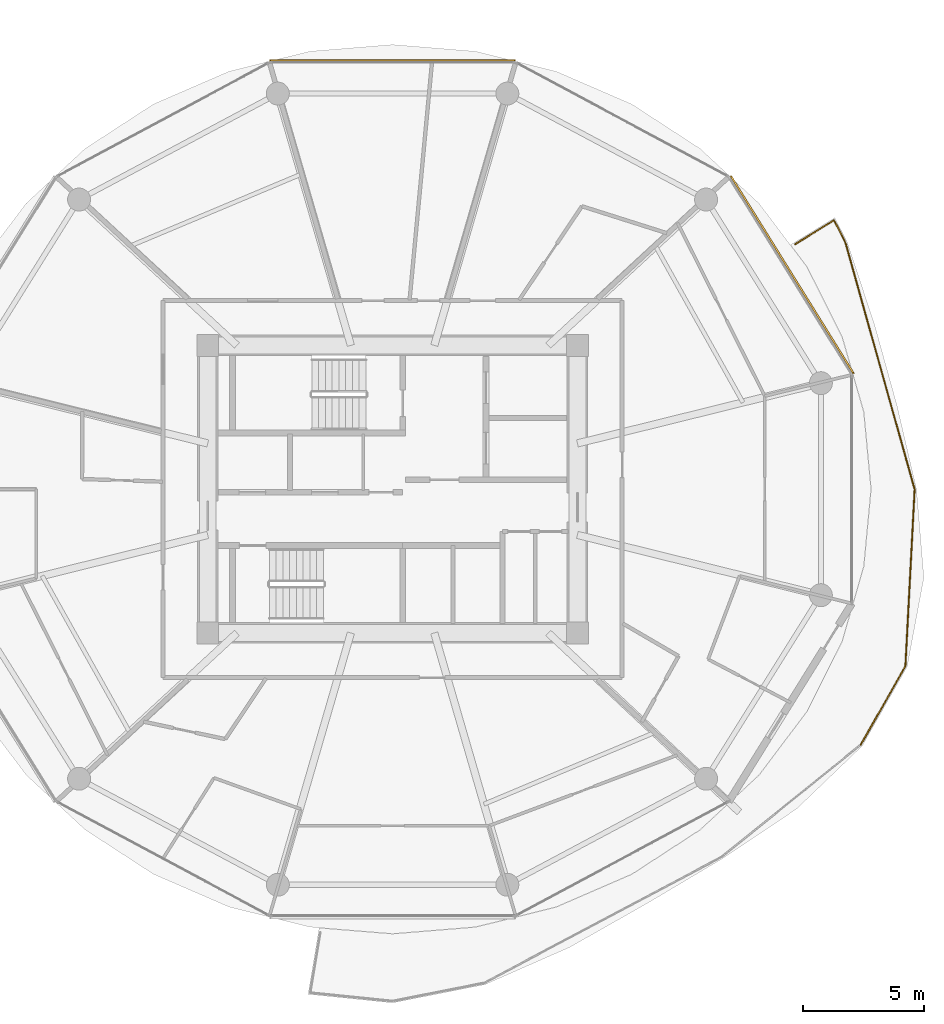
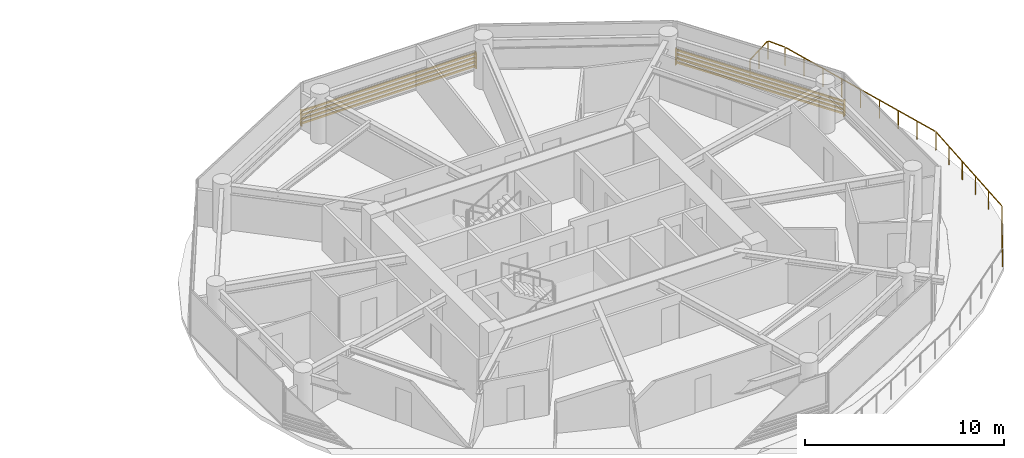
# One storey, part 27 of 27: 2 shading devices, 1 railing.
"""IFC4 building model written with IfcOpenShell, lengths in metres."""

import ifcopenshell
import ifcopenshell.guid

model = None  # the IFC model being written
_history = None  # IfcOwnerHistory: only IFC2X3 demands one
_inside = {}  # id of a spatial element -> (the spatial element, [elements in it])
_under = {}  # id of a project, library or spatial element -> (it, [spatial elements below it])
_declared = {}  # id of a project -> (the project, [libraries it declares])
_typed = {}  # id of a type object -> (the type object, [elements of that type])
_made_of = {}  # id of a material, layer set ... -> (it, [elements and type objects made of it])


def new_model(schema):
    """Start an empty IFC model of exactly this schema.

    Asked for "IFC4X3", IfcOpenShell would pick the latest addendum, in which some entities
    have other attributes; the version numbers below select the first issue.
    IFC2X3 requires an IfcOwnerHistory on every rooted entity: one is made here for all.
    """
    global model, _history
    if schema == "IFC4X3":
        model = ifcopenshell.file(schema_version=(4, 3, 0, 0))
    else:
        model = ifcopenshell.file(schema=schema)
    _inside.clear()
    _under.clear()
    _declared.clear()
    _typed.clear()
    _made_of.clear()
    _history = None
    if model.schema == "IFC2X3":
        org = make("IfcOrganization", Name="unknown")
        user = make(
            "IfcPersonAndOrganization",
            ThePerson=make("IfcPerson", FamilyName="unknown"),
            TheOrganization=org,
        )
        app = make(
            "IfcApplication",
            ApplicationDeveloper=org,
            Version="unknown",
            ApplicationFullName="unknown",
            ApplicationIdentifier="unknown",
        )
        _history = make(
            "IfcOwnerHistory",
            OwningUser=user,
            OwningApplication=app,
            ChangeAction="ADDED",
            CreationDate=0,
        )
    return model


def make(cls, **values):
    """One entity of the class cls with the attributes given. An attribute that is None is left unset."""
    return model.create_entity(
        cls, **{name: value for name, value in values.items() if value is not None}
    )


def rooted(cls, **values):
    """An entity with a GlobalId (a new one), such as an element, a storey or a relation."""
    return make(cls, GlobalId=ifcopenshell.guid.new(), OwnerHistory=_history, **values)


def si_unit(unit_type, name, prefix=None):
    """IfcSIUnit, for example si_unit("LENGTHUNIT", "METRE", prefix="MILLI")."""
    return make("IfcSIUnit", UnitType=unit_type, Prefix=prefix, Name=name)


def assignment(units):
    """IfcUnitAssignment: the units of a project."""
    return None if units is None else make("IfcUnitAssignment", Units=units)


def point(xyz):
    """IfcCartesianPoint."""
    return None if xyz is None else make("IfcCartesianPoint", Coordinates=xyz)


def direction(xyz):
    """IfcDirection."""
    return None if xyz is None else make("IfcDirection", DirectionRatios=xyz)


def frame(location, z_axis=None, x_axis=None):
    """IfcAxis2Placement3D, a coordinate frame: its origin and axes. An axis left out is left unset."""
    return make(
        "IfcAxis2Placement3D",
        Location=point(location),
        Axis=direction(z_axis),
        RefDirection=direction(x_axis),
    )


def frame_2d(location, x_axis=None):
    """IfcAxis2Placement2D, a coordinate frame in the plane: its origin and x axis."""
    return make(
        "IfcAxis2Placement2D", Location=point(location), RefDirection=direction(x_axis)
    )


def origin():
    """The frame at (0, 0, 0) with its axes left unset."""
    return frame((0.0, 0.0, 0.0))


def origin_2d():
    """The frame at (0, 0) in the plane with its x axis left unset."""
    return frame_2d((0.0, 0.0))


def place(relative_to, where):
    """IfcLocalPlacement: puts the frame where relative to a parent placement (None: the world)."""
    return make(
        "IfcLocalPlacement", PlacementRelTo=relative_to, RelativePlacement=where
    )


def context(
    kind, dimensions, precision=None, world=None, true_north=None, identifier=None
):
    """IfcGeometricRepresentationContext, for example the 3D "Model" context."""
    return make(
        "IfcGeometricRepresentationContext",
        ContextIdentifier=identifier,
        ContextType=kind,
        CoordinateSpaceDimension=dimensions,
        Precision=precision,
        WorldCoordinateSystem=world,
        TrueNorth=true_north,
    )


def subcontext(parent, identifier, kind, view, scale=None):
    """IfcGeometricRepresentationSubContext, for example "Body" below "Model"."""
    return make(
        "IfcGeometricRepresentationSubContext",
        ContextIdentifier=identifier,
        ContextType=kind,
        ParentContext=parent,
        TargetScale=scale,
        TargetView=view,
    )


def project(units=None, contexts=None):
    """IfcProject with its units and contexts."""
    return rooted(
        "IfcProject",
        Name="project",
        RepresentationContexts=contexts,
        UnitsInContext=assignment(units),
    )


def spatial(cls, under=None, at=None, **own):
    """A site, building, storey or space (cls), placed at a placement, below another one or the project."""
    s = rooted(cls, ObjectPlacement=at, **own)
    if under is not None:
        _under.setdefault(under.id(), (under, []))[1].append(s)
    return s


def profile(cls, at=None, kind="AREA", **sizes):
    """A parametric profile (cls). Its sizes go by their IFC names, for example OverallWidth=200.0."""
    return make(cls, ProfileType=kind, Position=at, **sizes)


def rectangle(**sizes):
    """IfcRectangleProfileDef."""
    return profile("IfcRectangleProfileDef", **sizes)


def extrude(swept, where, along, depth):
    """IfcExtrudedAreaSolid: the profile swept, set in the frame where, extruded along a direction by depth."""
    return make(
        "IfcExtrudedAreaSolid",
        SweptArea=swept,
        Position=where,
        ExtrudedDirection=direction(along),
        Depth=depth,
    )


def shape(context_of_items, identifier, shape_type, items):
    """IfcShapeRepresentation: the items that make up one representation, for example the "Body"."""
    return make(
        "IfcShapeRepresentation",
        ContextOfItems=context_of_items,
        RepresentationIdentifier=identifier,
        RepresentationType=shape_type,
        Items=items,
    )


def source(mapping_origin, context_of_items, identifier, shape_type, items):
    """IfcRepresentationMap: a shape defined once, which mapped items show again and again."""
    return make(
        "IfcRepresentationMap",
        MappingOrigin=mapping_origin,
        MappedRepresentation=shape(context_of_items, identifier, shape_type, items),
    )


def transform(
    local_origin,
    x_axis=None,
    y_axis=None,
    z_axis=None,
    scale=None,
    scale2=None,
    scale3=None,
    uniform=True,
):
    """IfcCartesianTransformationOperator3D, or its non-uniform kind. x_axis, y_axis, z_axis: its Axis1, 2, 3."""
    if uniform:
        return make(
            "IfcCartesianTransformationOperator3D",
            Axis1=direction(x_axis),
            Axis2=direction(y_axis),
            LocalOrigin=point(local_origin),
            Scale=scale,
            Axis3=direction(z_axis),
        )
    return make(
        "IfcCartesianTransformationOperator3DnonUniform",
        Axis1=direction(x_axis),
        Axis2=direction(y_axis),
        LocalOrigin=point(local_origin),
        Scale=scale,
        Axis3=direction(z_axis),
        Scale2=scale2,
        Scale3=scale3,
    )


def mapped(mapping_source, mapping_target):
    """IfcMappedItem: shows the shape of a source again, moved by a transform."""
    return make(
        "IfcMappedItem", MappingSource=mapping_source, MappingTarget=mapping_target
    )


def material(Name=None, Category=None):
    """IfcMaterial."""
    return make("IfcMaterial", Name=Name, Category=Category)


def made_of(thing, what):
    """Note that an element or type object is made of a material, layer set ...; save() writes the relation."""
    if what is not None:
        _made_of.setdefault(what.id(), (what, []))[1].append(thing)
    return thing


def type_object(cls, material=None, **own):
    """A type object (cls), such as IfcWallType, which elements share."""
    return made_of(rooted(cls, **own), material)


def type_shapes(of_type, sources):
    """Give a type object the sources (RepresentationMaps) that its elements show as mapped items."""
    of_type.RepresentationMaps = sources


def element(
    cls,
    number,
    at=None,
    inside=None,
    cuts=None,
    type_object=None,
    material=None,
    context=None,
    identifier="Body",
    shape_type=None,
    held_by="IfcProductDefinitionShape",
    body=None,
    shapes=None,
    **own,
):
    """One element of the class cls, such as IfcWall. Its Tag is "e" and its number.

    at: its placement. inside: the storey or other place that contains it. cuts: it is an
    opening in that element (IfcRelVoidsElement). A single representation is given by context,
    identifier, shape_type and body (its items); several are given by shapes. held_by: the class
    of the entity that holds the representations. save() writes the other relations.
    """
    e = rooted(cls, Tag="e%d" % number, ObjectPlacement=at, **own)
    if body is not None:
        shapes = [shape(context, identifier, shape_type, body)]
    if shapes is not None:
        e.Representation = make(held_by, Representations=shapes)
    if inside is not None:
        _inside.setdefault(inside.id(), (inside, []))[1].append(e)
    if cuts is not None:
        rooted(
            "IfcRelVoidsElement", RelatingBuildingElement=cuts, RelatedOpeningElement=e
        )
    if type_object is not None:
        _typed.setdefault(type_object.id(), (type_object, []))[1].append(e)
    return made_of(e, material)


def aggregate(whole, parts):
    """IfcRelAggregates: a whole, such as a stair, and the parts it consists of."""
    return rooted("IfcRelAggregates", RelatingObject=whole, RelatedObjects=parts)


def save(model, path):
    """Write the relations noted so far, then the file.

    IfcRelAggregates (storeys below a building ...), IfcRelContainedInSpatialStructure (elements
    in a storey), IfcRelDefinesByType, IfcRelAssociatesMaterial and IfcRelDeclares: one each for
    every whole, place, type object, material and project.
    """
    for whole, parts in _under.values():
        aggregate(whole, parts)
    for where, things in _inside.values():
        rooted(
            "IfcRelContainedInSpatialStructure",
            RelatedElements=things,
            RelatingStructure=where,
        )
    for kind, things in _typed.values():
        rooted("IfcRelDefinesByType", RelatedObjects=things, RelatingType=kind)
    for what, things in _made_of.values():
        rooted("IfcRelAssociatesMaterial", RelatedObjects=things, RelatingMaterial=what)
    for by, libraries in _declared.values():
        rooted("IfcRelDeclares", RelatingContext=by, RelatedDefinitions=libraries)
    model.write(path)


model = new_model("IFC4")

# Units and contexts
model_context = context("Model", 3, precision=1e-05, world=origin(), true_north=direction((0.0, 1.0)))
body_context = subcontext(model_context, "Body", "Model", "MODEL_VIEW")
ifc_project = project(units=[si_unit("LENGTHUNIT", "METRE"), si_unit("AREAUNIT", "SQUARE_METRE"), si_unit("VOLUMEUNIT", "CUBIC_METRE"), si_unit("PLANEANGLEUNIT", "RADIAN"), si_unit("MASSUNIT", "GRAM", prefix="KILO")], contexts=[model_context])

# Site, building, storey
site_placement = place(None, origin())
site = spatial("IfcSite", under=ifc_project, at=site_placement, CompositionType="ELEMENT")
building_placement = place(site_placement, origin())
building = spatial("IfcBuilding", under=site, at=building_placement, Name="Norrkilde Senior Care Towers", CompositionType="ELEMENT")
storey_placement = place(building_placement, frame((0.0, 0.0, 30.75)))
storey = spatial("IfcBuildingStorey", under=building, at=storey_placement, Name="L08", CompositionType="ELEMENT", Elevation=30.75)

# Railing
ifc_material_1 = material(Name="Anodised Aluminium", Category="aluminium")
railing_type = type_object("IfcRailingType", Name="Balcony Swirl Ribbon Guardrail 1150", PredefinedType="GUARDRAIL", material=ifc_material_1)
railing_placement = place(storey_placement, frame((44.6640625, 10.140625, 0.0)))
element("IfcRailing", 1, at=railing_placement, inside=storey, type_object=railing_type, Name="L08 Perimeter Safety Guard 02", PredefinedType="GUARDRAIL", context=body_context, shape_type="SweptSolid", body=[
    extrude(rectangle(XDim=0.048095703125, YDim=0.048095703125, at=origin_2d()), frame((0.0, 0.0, 1.1259765625), z_axis=(0.852147884078, 0.523301044964, 0.0), x_axis=(-0.523301044964, 0.852147884078, 0.0)), (0.0, 0.0, 1.0), 1.841064453125),
    extrude(rectangle(XDim=0.048095703125, YDim=0.048095703125, at=origin_2d()), frame((1.62255859375, 0.948486328125, 1.1259765625), z_axis=(0.457657144868, -0.889128752066, 0.0), x_axis=(0.889128752066, 0.457657144868, 0.0)), (0.0, 0.0, 1.0), 0.953125),
    extrude(rectangle(XDim=0.048095703125, YDim=0.048095703125, at=origin_2d()), frame((2.08837890625, 0.025390625, 1.1259765625), z_axis=(0.269959306744, -0.962871732217, 0.0), x_axis=(0.962871732217, 0.269959306744, 0.0)), (0.0, 0.0, 1.0), 10.530029296875),
    extrude(rectangle(XDim=0.048095703125, YDim=0.048095703125, at=origin_2d()), frame((4.93994140625, -10.19384765625, 1.1259765625), z_axis=(-0.052380219365, -0.998627214039, 0.0), x_axis=(0.998627214039, -0.052380219365, 0.0)), (0.0, 0.0, 1.0), 7.23583984375),
    extrude(rectangle(XDim=0.048095703125, YDim=0.048095703125, at=origin_2d()), frame((4.53857421875, -17.496337890625, 1.1259765625), z_axis=(-0.493086644615, -0.86998020719, 0.0), x_axis=(0.86998020719, -0.493086644615, 0.0)), (0.0, 0.0, 1.0), 3.701171875),
    extrude(rectangle(XDim=0.0419921875, YDim=0.0419921875, at=origin_2d()), origin(), (0.0, 0.0, 1.0), 1.099853515625),
    extrude(rectangle(XDim=0.0419921875, YDim=0.0419921875, at=origin_2d()), frame((0.8017578125, 0.492431640625, 0.0)), (0.0, 0.0, 1.0), 1.099853515625),
    extrude(rectangle(XDim=0.0419921875, YDim=0.0419921875, at=origin_2d()), frame((1.603759765625, 0.98486328125, 0.0)), (0.0, 0.0, 1.0), 1.099853515625),
    extrude(rectangle(XDim=0.0419921875, YDim=0.0419921875, at=origin_2d()), frame((2.077392578125, 0.064697265625, 0.0)), (0.0, 0.0, 1.0), 1.099853515625),
    extrude(rectangle(XDim=0.0419921875, YDim=0.0419921875, at=origin_2d()), frame((2.435546875, -1.21240234375, 0.0)), (0.0, 0.0, 1.0), 1.099853515625),
    extrude(rectangle(XDim=0.0419921875, YDim=0.0419921875, at=origin_2d()), frame((2.79345703125, -2.48974609375, 0.0)), (0.0, 0.0, 1.0), 1.099853515625),
    extrude(rectangle(XDim=0.0419921875, YDim=0.0419921875, at=origin_2d()), frame((3.151611328125, -3.76708984375, 0.0)), (0.0, 0.0, 1.0), 1.099853515625),
    extrude(rectangle(XDim=0.0419921875, YDim=0.0419921875, at=origin_2d()), frame((3.509765625, -5.044189453125, 0.0)), (0.0, 0.0, 1.0), 1.099853515625),
    extrude(rectangle(XDim=0.0419921875, YDim=0.0419921875, at=origin_2d()), frame((3.867919921875, -6.3212890625, 0.0)), (0.0, 0.0, 1.0), 1.099853515625),
    extrude(rectangle(XDim=0.0419921875, YDim=0.0419921875, at=origin_2d()), frame((4.22607421875, -7.5986328125, 0.0)), (0.0, 0.0, 1.0), 1.099853515625),
    extrude(rectangle(XDim=0.0419921875, YDim=0.0419921875, at=origin_2d()), frame((4.583984375, -8.8759765625, 0.0)), (0.0, 0.0, 1.0), 1.099853515625),
    extrude(rectangle(XDim=0.0419921875, YDim=0.0419921875, at=origin_2d()), frame((4.942138671875, -10.153076171875, 0.0)), (0.0, 0.0, 1.0), 1.099853515625),
    extrude(rectangle(XDim=0.0419921875, YDim=0.0419921875, at=origin_2d()), frame((4.865478515625, -11.614501953125, 0.0)), (0.0, 0.0, 1.0), 1.099853515625),
    extrude(rectangle(XDim=0.0419921875, YDim=0.0419921875, at=origin_2d()), frame((4.788818359375, -13.076171875, 0.0)), (0.0, 0.0, 1.0), 1.099853515625),
    extrude(rectangle(XDim=0.0419921875, YDim=0.0419921875, at=origin_2d()), frame((4.712158203125, -14.53759765625, 0.0)), (0.0, 0.0, 1.0), 1.099853515625),
    extrude(rectangle(XDim=0.0419921875, YDim=0.0419921875, at=origin_2d()), frame((4.635498046875, -15.999267578125, 0.0)), (0.0, 0.0, 1.0), 1.099853515625),
    extrude(rectangle(XDim=0.0419921875, YDim=0.0419921875, at=origin_2d()), frame((4.558837890625, -17.460693359375, 0.0)), (0.0, 0.0, 1.0), 1.099853515625),
    extrude(rectangle(XDim=0.0419921875, YDim=0.0419921875, at=origin_2d()), frame((3.94384765625, -18.5458984375, 0.0)), (0.0, 0.0, 1.0), 1.099853515625),
    extrude(rectangle(XDim=0.0419921875, YDim=0.0419921875, at=origin_2d()), frame((3.32861328125, -19.631103515625, 0.0)), (0.0, 0.0, 1.0), 1.099853515625),
    extrude(rectangle(XDim=0.0419921875, YDim=0.0419921875, at=origin_2d()), frame((2.713623046875, -20.71630859375, 0.0)), (0.0, 0.0, 1.0), 1.099853515625),
])

# Shading devices
ifc_material_2 = material(Name="Architectural Terracotta", Category="masonry")
shading_device_type = type_object("IfcShadingDeviceType", Name="Horizontal Terracotta Baguette Rack", PredefinedType="USERDEFINED", material=ifc_material_2)
shared_shape_1 = source(origin(), body_context, "Body", "SweptSolid", [
    extrude(rectangle(XDim=0.070068359375, YDim=0.110107421875, at=origin_2d()), frame((0.0, 0.090087890625, 0.125), z_axis=(1.0, 0.0, 0.0), x_axis=(0.0, 1.0, 0.0)), (0.0, 0.0, 1.0), 9.64892578125),
    extrude(rectangle(XDim=0.070068359375, YDim=0.110107421875, at=origin_2d()), frame((0.0, 0.090087890625, 0.375), z_axis=(1.0, 0.0, 0.0), x_axis=(0.0, 1.0, 0.0)), (0.0, 0.0, 1.0), 9.64892578125),
    extrude(rectangle(XDim=0.070068359375, YDim=0.110107421875, at=origin_2d()), frame((0.0, 0.090087890625, 0.625), z_axis=(1.0, 0.0, 0.0), x_axis=(0.0, 1.0, 0.0)), (0.0, 0.0, 1.0), 9.64892578125),
    extrude(rectangle(XDim=0.070068359375, YDim=0.110107421875, at=origin_2d()), frame((0.0, 0.090087890625, 0.875), z_axis=(1.0, 0.0, 0.0), x_axis=(0.0, 1.0, 0.0)), (0.0, 0.0, 1.0), 9.64892578125),
    extrude(rectangle(XDim=0.050048828125, YDim=0.1552734375, at=origin_2d()), frame((0.02490234375, 0.047607421875, 0.0)), (0.0, 0.0, 1.0), 1.0),
    extrude(rectangle(XDim=0.050048828125, YDim=0.1552734375, at=origin_2d()), frame((9.6240234375, 0.047607421875, 0.0)), (0.0, 0.0, 1.0), 1.0),
])
shading_device_1_placement = place(storey_placement, frame((41.915771484375, 12.926025390625, 0.080078125), z_axis=(0.0, 0.0, 1.0), x_axis=(0.527908506655, -0.849299124538, 0.0)))
element("IfcShadingDevice", 2, at=shading_device_1_placement, inside=storey, type_object=shading_device_type, Name="L08 Drum E Terracotta Baguette Screen 00", ObjectType="BAGUETTE", PredefinedType="USERDEFINED", context=body_context, shape_type="MappedRepresentation", body=[
    mapped(shared_shape_1, transform((0.0, 0.0, 0.0), x_axis=(1.0, 0.0, 0.0), y_axis=(0.0, 1.0, 0.0), z_axis=(0.0, 0.0, 1.0), scale=1.0)),
])
shared_shape_2 = source(origin(), body_context, "Body", "SweptSolid", [
    extrude(rectangle(XDim=0.070068359375, YDim=0.110107421875, at=origin_2d()), frame((0.0, 0.090087890625, 0.125), z_axis=(1.0, 0.0, 0.0), x_axis=(0.0, 1.0, 0.0)), (0.0, 0.0, 1.0), 10.18701171875),
    extrude(rectangle(XDim=0.070068359375, YDim=0.110107421875, at=origin_2d()), frame((0.0, 0.090087890625, 0.375), z_axis=(1.0, 0.0, 0.0), x_axis=(0.0, 1.0, 0.0)), (0.0, 0.0, 1.0), 10.18701171875),
    extrude(rectangle(XDim=0.070068359375, YDim=0.110107421875, at=origin_2d()), frame((0.0, 0.090087890625, 0.625), z_axis=(1.0, 0.0, 0.0), x_axis=(0.0, 1.0, 0.0)), (0.0, 0.0, 1.0), 10.18701171875),
    extrude(rectangle(XDim=0.070068359375, YDim=0.110107421875, at=origin_2d()), frame((0.0, 0.090087890625, 0.875), z_axis=(1.0, 0.0, 0.0), x_axis=(0.0, 1.0, 0.0)), (0.0, 0.0, 1.0), 10.18701171875),
    extrude(rectangle(XDim=0.050048828125, YDim=0.1552734375, at=origin_2d()), frame((0.02490234375, 0.047607421875, 0.0)), (0.0, 0.0, 1.0), 1.0),
    extrude(rectangle(XDim=0.050048828125, YDim=0.1552734375, at=origin_2d()), frame((10.162109375, 0.047607421875, 0.0)), (0.0, 0.0, 1.0), 1.0),
])
type_shapes(shading_device_type, [shared_shape_1, shared_shape_2])
shading_device_2_placement = place(storey_placement, frame((22.906494140625, 17.6572265625, 0.080078125), z_axis=(0.0, 0.0, 1.0), x_axis=(1.0, 0.0, 0.0)))
element("IfcShadingDevice", 3, at=shading_device_2_placement, inside=storey, type_object=shading_device_type, Name="L08 Drum E Terracotta Baguette Screen 02", ObjectType="BAGUETTE", PredefinedType="USERDEFINED", context=body_context, shape_type="MappedRepresentation", body=[
    mapped(shared_shape_2, transform((0.0, 0.0, 0.0), x_axis=(1.0, 0.0, 0.0), y_axis=(0.0, 1.0, 0.0), z_axis=(0.0, 0.0, 1.0), scale=1.0)),
])

save(model, "model.ifc")
